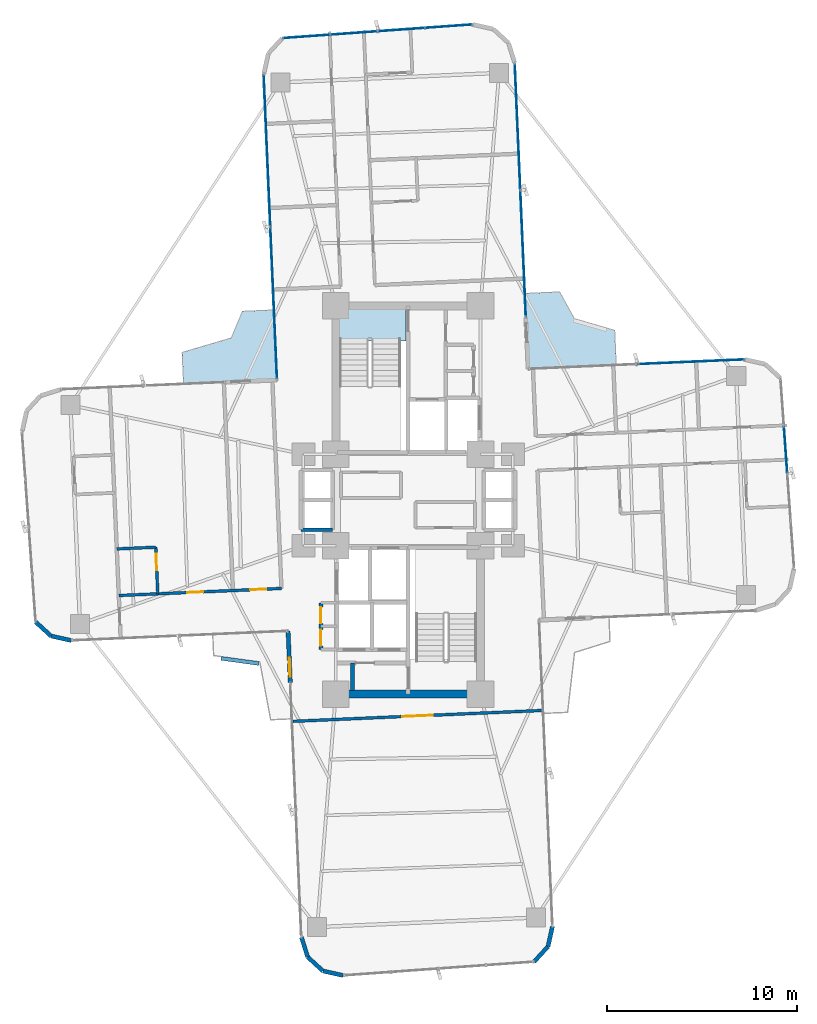
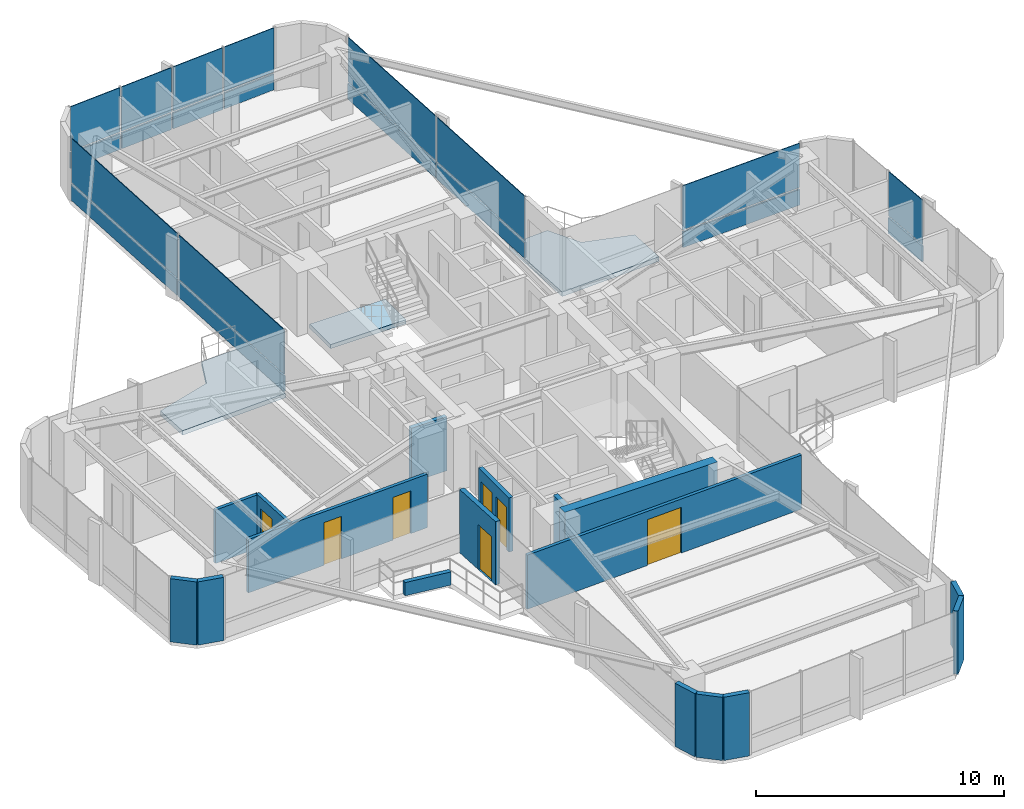
# One storey, part 22 of 26: 20 plates, 17 walls, 7 doors, 3 slabs, 7 openings, 5 elements without a shape of their own.
"""IFC4 building model written with IfcOpenShell, lengths in metres."""

from ifc_helpers import new_model, si_unit, direction, frame, frame_2d, origin, origin_2d, place, context, subcontext, project, spatial, polyline, rectangle, outline, extrude, source, transform, mapped, material, layer, layer_set, type_object, element, fill, aggregate, save


model = new_model("IFC4")

# Units and contexts
model_context = context("Model", 3, precision=1e-05, world=origin(), true_north=direction((0.0, 1.0)))
body_context = subcontext(model_context, "Body", "Model", "MODEL_VIEW")
ifc_project = project(units=[si_unit("LENGTHUNIT", "METRE"), si_unit("AREAUNIT", "SQUARE_METRE"), si_unit("VOLUMEUNIT", "CUBIC_METRE"), si_unit("PLANEANGLEUNIT", "RADIAN"), si_unit("MASSUNIT", "GRAM", prefix="KILO")], contexts=[model_context])

# Site, building, storey
site_placement = place(None, origin())
site = spatial("IfcSite", under=ifc_project, at=site_placement, CompositionType="ELEMENT")
building_placement = place(site_placement, origin())
building = spatial("IfcBuilding", under=site, at=building_placement, Name="Sahyath Konkavel Grand Hotel", CompositionType="ELEMENT")
storey_placement = place(building_placement, frame((0.0, 0.0, 131.550048828125)))
storey = spatial("IfcBuildingStorey", under=building, at=storey_placement, Name="L36", CompositionType="ELEMENT", Elevation=131.550048828125)

# Slabs
ifc_material_1 = material(Name="Concrete C40/50", Category="concrete")
ifc_layer_1 = layer(ifc_material_1, 0.219970703125)
ifc_layer_set_1 = layer_set([ifc_layer_1], Name="Concrete C40/50")
slab_type_1 = type_object("IfcSlabType", Name="SLB-BALCONY-220", PredefinedType="FLOOR", material=ifc_layer_set_1)
slab_1_placement = place(storey_placement, frame((0.0, 0.0, -0.219970703125)))
element("IfcSlab", 1, at=slab_1_placement, inside=storey, type_object=slab_type_1, Name="L36 Winter-Garden Balcony NE", PredefinedType="FLOOR", context=body_context, shape_type="SweptSolid", body=[
    extrude(outline(polyline([(6.305908203125, 6.881591796875), (10.929443359375, 7.08349609375), (10.849853515625, 8.90771484375), (8.728759765625, 9.52587890625), (7.956787109375, 10.929443359375), (6.132568359375, 10.849853515625), (6.305908203125, 6.881591796875)])), origin(), (0.0, 0.0, 1.0), 0.219970703125),
])
slab_2_placement = place(storey_placement, frame((0.0, 0.0, -0.219970703125)))
element("IfcSlab", 2, at=slab_2_placement, inside=storey, type_object=slab_type_1, Name="L36 Winter-Garden Balcony NW", PredefinedType="FLOOR", context=body_context, shape_type="SweptSolid", body=[
    extrude(outline(polyline([(-6.881591796875, 6.305908203125), (-7.042236328125, 9.9833984375), (-8.70166015625, 9.910888671875), (-9.287109375, 8.510009765625), (-11.868408203125, 7.750732421875), (-11.7958984375, 6.09130859375), (-6.881591796875, 6.305908203125)])), origin(), (0.0, 0.0, 1.0), 0.219970703125),
])
ifc_layer_2 = layer(ifc_material_1, 0.199951171875)
ifc_layer_set_2 = layer_set([ifc_layer_2], Name="Concrete C40/50")
slab_type_2 = type_object("IfcSlabType", Name="SLB-STAIR-LND", PredefinedType="LANDING", material=ifc_layer_set_2)
slab_3_placement = place(storey_placement, frame((0.0, 0.0, -0.199951171875)))
element("IfcSlab", 3, at=slab_3_placement, inside=storey, type_object=slab_type_2, Name="L36 Stair ST-1 Floor Landing Slab", PredefinedType="LANDING", context=body_context, shape_type="SweptSolid", body=[
    extrude(outline(polyline([(-3.6201171875, 8.35009765625), (-0.10009765625, 8.35009765625), (-0.10009765625, 10.02001953125), (-3.6201171875, 10.02001953125), (-3.6201171875, 8.35009765625)])), origin(), (0.0, 0.0, 1.0), 0.199951171875),
])

# Curtain wall, plate
ifc_material_2 = material(Name="Anodised Bronze Aluminium & Low-E Glazing", Category="aluminium")
curtain_wall_type = type_object("IfcCurtainWallType", Name="CW-ZONE2", PredefinedType="NOTDEFINED", material=ifc_material_2)
curtain_wall_1_placement = place(storey_placement, origin())
curtain_wall_1 = element("IfcCurtainWall", 4, at=curtain_wall_1_placement, inside=storey, type_object=curtain_wall_type, Name="L36 Unitised Curtain Wall F4", PredefinedType="NOTDEFINED")
ifc_material_3 = material(Name="Warm Buff Sandstone Cladding", Category="masonry")
ifc_layer_3 = layer(ifc_material_3, 0.074951171875)
ifc_layer_set_3 = layer_set([ifc_layer_3], Name="Warm Buff Sandstone Cladding")
plate_type_1 = type_object("IfcPlateType", Name="PNL-SPANDREL-STONE", PredefinedType="SHEET", material=ifc_layer_set_3)
shared_shape_1 = source(origin(), body_context, "Body", "SweptSolid", [
    extrude(rectangle(XDim=2.41357421875, YDim=0.074951171875, at=origin_2d()), origin(), (0.0, 0.0, 1.0), 0.77001953125),
])
plate_1_placement = place(storey_placement, frame((19.828369140625, 2.638671875, 0.0400390625), z_axis=(0.0, 0.0, 1.0), x_axis=(-0.071567078661, 0.997435789037, 0.0)))
plate_1 = element("IfcPlate", 5, at=plate_1_placement, type_object=plate_type_1, Name="L36 Sandstone Relief Spandrel Panel F4-2", PredefinedType="SHEET", context=body_context, shape_type="MappedRepresentation", body=[
    mapped(shared_shape_1, transform((0.0, 0.0, 0.0), scale=1.0)),
])

# Curtain wall, plates
curtain_wall_2_placement = place(storey_placement, origin())
curtain_wall_2 = element("IfcCurtainWall", 6, at=curtain_wall_2_placement, inside=storey, type_object=curtain_wall_type, Name="L36 Unitised Curtain Wall F12", PredefinedType="NOTDEFINED")
plate_2_placement = place(storey_placement, frame((2.130615234375, 24.880615234375, 0.0400390625), z_axis=(0.0, 0.0, 1.0), x_axis=(-0.997435789037, -0.071567078661, 0.0)))
plate_2 = element("IfcPlate", 7, at=plate_2_placement, type_object=plate_type_1, Name="L36 Sandstone Relief Spandrel Panel F12-0", PredefinedType="SHEET", context=body_context, shape_type="MappedRepresentation", body=[
    mapped(shared_shape_1, transform((0.0, 0.0, 0.0), scale=1.0)),
])
plate_3_placement = place(storey_placement, frame((-0.356689453125, 24.7021484375, 0.0400390625), z_axis=(0.0, 0.0, 1.0), x_axis=(-0.997435789037, -0.071567078661, 0.0)))
plate_3 = element("IfcPlate", 8, at=plate_3_placement, type_object=plate_type_1, Name="L36 Sandstone Relief Spandrel Panel F12-1", PredefinedType="SHEET", context=body_context, shape_type="MappedRepresentation", body=[
    mapped(shared_shape_1, transform((0.0, 0.0, 0.0), scale=1.0)),
])
plate_4_placement = place(storey_placement, frame((-2.84375, 24.523681640625, 0.0400390625), z_axis=(0.0, 0.0, 1.0), x_axis=(-0.997435789037, -0.071567078661, 0.0)))
plate_4 = element("IfcPlate", 9, at=plate_4_placement, type_object=plate_type_1, Name="L36 Sandstone Relief Spandrel Panel F12-2", PredefinedType="SHEET", context=body_context, shape_type="MappedRepresentation", body=[
    mapped(shared_shape_1, transform((0.0, 0.0, 0.0), scale=1.0)),
])
plate_5_placement = place(storey_placement, frame((-5.330810546875, 24.34521484375, 0.0400390625), z_axis=(0.0, 0.0, 1.0), x_axis=(-0.997435789037, -0.071567078661, 0.0)))
plate_5 = element("IfcPlate", 10, at=plate_5_placement, type_object=plate_type_1, Name="L36 Sandstone Relief Spandrel Panel F12-3", PredefinedType="SHEET", context=body_context, shape_type="MappedRepresentation", body=[
    mapped(shared_shape_1, transform((0.0, 0.0, 0.0), scale=1.0)),
])

# Curtain wall, plate
curtain_wall_3_placement = place(storey_placement, origin())
curtain_wall_3 = element("IfcCurtainWall", 11, at=curtain_wall_3_placement, inside=storey, type_object=curtain_wall_type, Name="L36 Unitised Curtain Wall F7", PredefinedType="NOTDEFINED")
shared_shape_2 = source(origin(), body_context, "Body", "SweptSolid", [
    extrude(rectangle(XDim=5.580078125, YDim=0.074951171875, at=origin_2d()), origin(), (0.0, 0.0, 1.0), 0.77001953125),
])
plate_6_placement = place(storey_placement, frame((14.82763671875, 7.25390625, 0.0400390625), z_axis=(0.0, 0.0, 1.0), x_axis=(-0.999048221582, -0.043619387365, 0.0)))
plate_6 = element("IfcPlate", 12, at=plate_6_placement, type_object=plate_type_1, Name="L36 Sandstone Relief Spandrel Panel F7-0", PredefinedType="SHEET", context=body_context, shape_type="MappedRepresentation", body=[
    mapped(shared_shape_2, transform((0.0, 0.0, 0.0), scale=1.0)),
])

# Curtain wall, plates
curtain_wall_4_placement = place(storey_placement, origin())
curtain_wall_4 = element("IfcCurtainWall", 13, at=curtain_wall_4_placement, inside=storey, type_object=curtain_wall_type, Name="L36 Unitised Curtain Wall F8", PredefinedType="NOTDEFINED")
shared_shape_3 = source(origin(), body_context, "Body", "SweptSolid", [
    extrude(rectangle(XDim=6.580078125, YDim=0.074951171875, at=origin_2d()), origin(), (0.0, 0.0, 1.0), 0.77001953125),
])
plate_7_placement = place(storey_placement, frame((6.041015625, 12.94580078125, 0.0400390625), z_axis=(0.0, 0.0, 1.0), x_axis=(-0.043619387365, 0.999048221582, 0.0)))
plate_7 = element("IfcPlate", 14, at=plate_7_placement, type_object=plate_type_1, Name="L36 Sandstone Relief Spandrel Panel F8-0", PredefinedType="SHEET", context=body_context, shape_type="MappedRepresentation", body=[
    mapped(shared_shape_3, transform((0.0, 0.0, 0.0), scale=1.0)),
])
plate_8_placement = place(storey_placement, frame((5.75048828125, 19.599609375, 0.0400390625), z_axis=(0.0, 0.0, 1.0), x_axis=(-0.043619387365, 0.999048221582, 0.0)))
plate_8 = element("IfcPlate", 15, at=plate_8_placement, type_object=plate_type_1, Name="L36 Sandstone Relief Spandrel Panel F8-1", PredefinedType="SHEET", context=body_context, shape_type="MappedRepresentation", body=[
    mapped(shared_shape_3, transform((0.0, 0.0, 0.0), scale=1.0)),
])

curtain_wall_5_placement = place(storey_placement, origin())
curtain_wall_5 = element("IfcCurtainWall", 16, at=curtain_wall_5_placement, inside=storey, type_object=curtain_wall_type, Name="L36 Unitised Curtain Wall F15", PredefinedType="NOTDEFINED")
shared_shape_4 = source(origin(), body_context, "Body", "SweptSolid", [
    extrude(rectangle(XDim=7.929931640625, YDim=0.074951171875, at=origin_2d()), origin(), (0.0, 0.0, 1.0), 0.77001953125),
])
plate_9_placement = place(storey_placement, frame((-7.407470703125, 18.349365234375, 0.0400390625), z_axis=(0.0, 0.0, 1.0), x_axis=(0.043619387365, -0.999048221582, 0.0)))
plate_9 = element("IfcPlate", 17, at=plate_9_placement, type_object=plate_type_1, Name="L36 Sandstone Relief Spandrel Panel F15-0", PredefinedType="SHEET", context=body_context, shape_type="MappedRepresentation", body=[
    mapped(shared_shape_4, transform((0.0, 0.0, 0.0), scale=1.0)),
])
plate_10_placement = place(storey_placement, frame((-7.05810546875, 10.346923828125, 0.0400390625), z_axis=(0.0, 0.0, 1.0), x_axis=(0.043619387365, -0.999048221582, 0.0)))
plate_10 = element("IfcPlate", 18, at=plate_10_placement, type_object=plate_type_1, Name="L36 Sandstone Relief Spandrel Panel F15-1", PredefinedType="SHEET", context=body_context, shape_type="MappedRepresentation", body=[
    mapped(shared_shape_4, transform((0.0, 0.0, 0.0), scale=1.0)),
])

# Plate
ifc_material_4 = material(Name="Low-E Solar Control Double Glazing", Category="glass")
ifc_layer_4 = layer(ifc_material_4, 0.035888671875)
ifc_layer_set_4 = layer_set([ifc_layer_4], Name="Low-E Solar Control Double Glazing")
plate_type_2 = type_object("IfcPlateType", Name="PNL-VISION-LOWE", PredefinedType="CURTAIN_PANEL", material=ifc_layer_set_4)
shared_shape_5 = source(origin(), body_context, "Body", "SweptSolid", [
    extrude(rectangle(XDim=2.41357421875, YDim=0.035888671875, at=origin_2d()), origin(), (0.0, 0.0, 1.0), 2.179931640625),
])
plate_11_placement = place(storey_placement, frame((19.828369140625, 2.638671875, 0.89013671875), z_axis=(0.0, 0.0, 1.0), x_axis=(-0.071567078661, 0.997435789037, 0.0)))
plate_11 = element("IfcPlate", 19, at=plate_11_placement, type_object=plate_type_2, Name="L36 Low-E Vision Glazing Panel F4-2", PredefinedType="CURTAIN_PANEL", context=body_context, shape_type="MappedRepresentation", body=[
    mapped(shared_shape_5, transform((0.0, 0.0, 0.0), scale=1.0)),
])

aggregate(curtain_wall_1, [plate_1, plate_11])

plate_12_placement = place(storey_placement, frame((2.130615234375, 24.880615234375, 0.89013671875), z_axis=(0.0, 0.0, 1.0), x_axis=(-0.997435789037, -0.071567078661, 0.0)))
plate_12 = element("IfcPlate", 20, at=plate_12_placement, type_object=plate_type_2, Name="L36 Low-E Vision Glazing Panel F12-0", PredefinedType="CURTAIN_PANEL", context=body_context, shape_type="MappedRepresentation", body=[
    mapped(shared_shape_5, transform((0.0, 0.0, 0.0), scale=1.0)),
])

plate_13_placement = place(storey_placement, frame((-0.356689453125, 24.7021484375, 0.89013671875), z_axis=(0.0, 0.0, 1.0), x_axis=(-0.997435789037, -0.071567078661, 0.0)))
plate_13 = element("IfcPlate", 21, at=plate_13_placement, type_object=plate_type_2, Name="L36 Low-E Vision Glazing Panel F12-1", PredefinedType="CURTAIN_PANEL", context=body_context, shape_type="MappedRepresentation", body=[
    mapped(shared_shape_5, transform((0.0, 0.0, 0.0), scale=1.0)),
])

plate_14_placement = place(storey_placement, frame((-2.84375, 24.523681640625, 0.89013671875), z_axis=(0.0, 0.0, 1.0), x_axis=(-0.997435789037, -0.071567078661, 0.0)))
plate_14 = element("IfcPlate", 22, at=plate_14_placement, type_object=plate_type_2, Name="L36 Low-E Vision Glazing Panel F12-2", PredefinedType="CURTAIN_PANEL", context=body_context, shape_type="MappedRepresentation", body=[
    mapped(shared_shape_5, transform((0.0, 0.0, 0.0), scale=1.0)),
])

plate_15_placement = place(storey_placement, frame((-5.330810546875, 24.34521484375, 0.89013671875), z_axis=(0.0, 0.0, 1.0), x_axis=(-0.997435789037, -0.071567078661, 0.0)))
plate_15 = element("IfcPlate", 23, at=plate_15_placement, type_object=plate_type_2, Name="L36 Low-E Vision Glazing Panel F12-3", PredefinedType="CURTAIN_PANEL", context=body_context, shape_type="MappedRepresentation", body=[
    mapped(shared_shape_5, transform((0.0, 0.0, 0.0), scale=1.0)),
])

aggregate(curtain_wall_2, [plate_2, plate_12, plate_3, plate_13, plate_4, plate_14, plate_5, plate_15])

shared_shape_6 = source(origin(), body_context, "Body", "SweptSolid", [
    extrude(rectangle(XDim=5.580078125, YDim=0.035888671875, at=origin_2d()), origin(), (0.0, 0.0, 1.0), 2.179931640625),
])
plate_16_placement = place(storey_placement, frame((14.82763671875, 7.25390625, 0.89013671875), z_axis=(0.0, 0.0, 1.0), x_axis=(-0.999048221582, -0.043619387365, 0.0)))
plate_16 = element("IfcPlate", 24, at=plate_16_placement, type_object=plate_type_2, Name="L36 Low-E Vision Glazing Panel F7-0", PredefinedType="CURTAIN_PANEL", context=body_context, shape_type="MappedRepresentation", body=[
    mapped(shared_shape_6, transform((0.0, 0.0, 0.0), scale=1.0)),
])

aggregate(curtain_wall_3, [plate_6, plate_16])

shared_shape_7 = source(origin(), body_context, "Body", "SweptSolid", [
    extrude(rectangle(XDim=6.580078125, YDim=0.035888671875, at=origin_2d()), origin(), (0.0, 0.0, 1.0), 2.179931640625),
])
plate_17_placement = place(storey_placement, frame((6.041015625, 12.94580078125, 0.89013671875), z_axis=(0.0, 0.0, 1.0), x_axis=(-0.043619387365, 0.999048221582, 0.0)))
plate_17 = element("IfcPlate", 25, at=plate_17_placement, type_object=plate_type_2, Name="L36 Low-E Vision Glazing Panel F8-0", PredefinedType="CURTAIN_PANEL", context=body_context, shape_type="MappedRepresentation", body=[
    mapped(shared_shape_7, transform((0.0, 0.0, 0.0), scale=1.0)),
])

plate_18_placement = place(storey_placement, frame((5.75048828125, 19.599609375, 0.89013671875), z_axis=(0.0, 0.0, 1.0), x_axis=(-0.043619387365, 0.999048221582, 0.0)))
plate_18 = element("IfcPlate", 26, at=plate_18_placement, type_object=plate_type_2, Name="L36 Low-E Vision Glazing Panel F8-1", PredefinedType="CURTAIN_PANEL", context=body_context, shape_type="MappedRepresentation", body=[
    mapped(shared_shape_7, transform((0.0, 0.0, 0.0), scale=1.0)),
])

aggregate(curtain_wall_4, [plate_7, plate_17, plate_8, plate_18])

shared_shape_8 = source(origin(), body_context, "Body", "SweptSolid", [
    extrude(rectangle(XDim=7.929931640625, YDim=0.035888671875, at=origin_2d()), origin(), (0.0, 0.0, 1.0), 2.179931640625),
])
plate_19_placement = place(storey_placement, frame((-7.407470703125, 18.349365234375, 0.89013671875), z_axis=(0.0, 0.0, 1.0), x_axis=(0.043619387365, -0.999048221582, 0.0)))
plate_19 = element("IfcPlate", 27, at=plate_19_placement, type_object=plate_type_2, Name="L36 Low-E Vision Glazing Panel F15-0", PredefinedType="CURTAIN_PANEL", context=body_context, shape_type="MappedRepresentation", body=[
    mapped(shared_shape_8, transform((0.0, 0.0, 0.0), scale=1.0)),
])

plate_20_placement = place(storey_placement, frame((-7.05810546875, 10.346923828125, 0.89013671875), z_axis=(0.0, 0.0, 1.0), x_axis=(0.043619387365, -0.999048221582, 0.0)))
plate_20 = element("IfcPlate", 28, at=plate_20_placement, type_object=plate_type_2, Name="L36 Low-E Vision Glazing Panel F15-1", PredefinedType="CURTAIN_PANEL", context=body_context, shape_type="MappedRepresentation", body=[
    mapped(shared_shape_8, transform((0.0, 0.0, 0.0), scale=1.0)),
])

aggregate(curtain_wall_5, [plate_9, plate_19, plate_10, plate_20])

# Walls
ifc_material_5 = material(Name="Concrete C50/60", Category="concrete")
ifc_layer_5 = layer(ifc_material_5, 0.419921875)
ifc_layer_set_5 = layer_set([ifc_layer_5], Name="Concrete C50/60")
wall_type_1 = type_object("IfcWallType", Name="CWALL-420", PredefinedType="SHEAR", material=ifc_layer_set_5)
wall_1_placement = place(storey_placement, frame((-3.550048828125, -10.199951171875, 0.0), z_axis=(0.0, 0.0, 1.0), x_axis=(1.0, 0.0, 0.0)))
element("IfcWall", 29, at=wall_1_placement, inside=storey, type_object=wall_type_1, Name="L36 South Core Shear Wall S", PredefinedType="SHEAR", context=body_context, shape_type="SweptSolid", body=[
    extrude(rectangle(XDim=7.10009765625, YDim=0.419921875, at=frame_2d((3.550048828125, 0.0))), origin(), (0.0, 0.0, 1.0), 3.10986328125),
])
ifc_material_6 = material(Name="Warm Buff Sandstone Insulated Concrete C40/50", Category="masonry")
ifc_layer_6 = layer(ifc_material_6, 0.219970703125)
ifc_layer_set_6 = layer_set([ifc_layer_6], Name="Warm Buff Sandstone Insulated Concrete C40/50")
wall_type_2 = type_object("IfcWallType", Name="WLL-BALC-THRESH", PredefinedType="STANDARD", material=ifc_layer_set_6)
wall_2_placement = place(storey_placement, frame((-19.5576171875, -6.4091796875, 0.0), z_axis=(0.0, 0.0, 1.0), x_axis=(0.737210081318, -0.675663596772, 0.0)))
element("IfcWall", 30, at=wall_2_placement, inside=storey, type_object=wall_type_2, Name="L36 Rounded Corner Sandstone Pier 21", PredefinedType="STANDARD", context=body_context, shape_type="SweptSolid", body=[
    extrude(rectangle(XDim=1.0869140625, YDim=0.219970703125, at=frame_2d((0.54345703125, 0.0))), origin(), (0.0, 0.0, 1.0), 3.10986328125),
])
wall_3_placement = place(storey_placement, frame((-18.75634765625, -7.1435546875, 0.0), z_axis=(0.0, 0.0, 1.0), x_axis=(0.976282085775, -0.216502399514, 0.0)))
element("IfcWall", 31, at=wall_3_placement, inside=storey, type_object=wall_type_2, Name="L36 Rounded Corner Sandstone Pier 22", PredefinedType="STANDARD", context=body_context, shape_type="SweptSolid", body=[
    extrude(rectangle(XDim=1.087158203125, YDim=0.219970703125, at=frame_2d((0.54345703125, 0.0))), origin(), (0.0, 0.0, 1.0), 3.10986328125),
])

# Wall, opening, door
wall_4_placement = place(storey_placement, frame((-6.305908203125, -6.881591796875, 0.0), z_axis=(0.0, 0.0, 1.0), x_axis=(0.043672655174, -0.999045894436, 0.0)))
wall_4 = element("IfcWall", 32, at=wall_4_placement, inside=storey, type_object=wall_type_2, Name="L36 Winter-Garden Threshold Wall 24", PredefinedType="STANDARD", context=body_context, shape_type="SweptSolid", body=[
    extrude(rectangle(XDim=2.7001953125, YDim=0.219970703125, at=frame_2d((1.35009765625, 0.0))), origin(), (0.0, 0.0, 1.0), 3.10986328125),
])
opening_1_placement = place(wall_4_placement, frame((1.39990234375, 0.0, 0.0)))
opening_1 = element("IfcOpeningElement", 33, at=opening_1_placement, cuts=wall_4, Name="Opening D-TR1", PredefinedType="OPENING", context=body_context, shape_type="SweptSolid", body=[
    extrude(rectangle(XDim=1.0, YDim=2.199951171875, at=frame_2d((0.5, 1.10009765625))), frame((0.0, 0.1201171875, 0.0), z_axis=(0.0, -1.0, 0.0), x_axis=(1.0, 0.0, 0.0)), (0.0, 0.0, 1.0), 0.239990234375),
])
door_type_1 = type_object("IfcDoorType", Name="DR-TERRACE-1000", OperationType="NOTDEFINED", PredefinedType="DOOR", material=ifc_material_2)
shared_shape_9 = source(origin(), body_context, "Body", "SweptSolid", [
    extrude(rectangle(XDim=1.0, YDim=0.050048828125, at=origin_2d()), origin(), (0.0, 0.0, 1.0), 2.199951171875),
])
door_1_placement = place(opening_1_placement, frame((0.5, 0.0, 0.0)))
door_1 = element("IfcDoor", 34, at=door_1_placement, inside=storey, type_object=door_type_1, Name="L36 Winter-Garden Terrace Door 24", OperationType="SINGLE_SWING_LEFT", OverallHeight=2.199951171875, OverallWidth=1.0, PredefinedType="DOOR", context=body_context, shape_type="MappedRepresentation", body=[
    mapped(shared_shape_9, transform((0.0, 0.0, 0.0), scale=1.0)),
])
fill(opening_1, door_1)

# Walls
wall_5_placement = place(storey_placement, frame((-5.603515625, -22.96630859375, 0.0), z_axis=(0.0, 0.0, 1.0), x_axis=(0.300755105707, -0.953701403161, 0.0)))
element("IfcWall", 35, at=wall_5_placement, inside=storey, type_object=wall_type_2, Name="L36 Rounded Corner Sandstone Pier 25", PredefinedType="STANDARD", context=body_context, shape_type="SweptSolid", body=[
    extrude(rectangle(XDim=1.0869140625, YDim=0.219970703125, at=frame_2d((0.54345703125, 0.0))), origin(), (0.0, 0.0, 1.0), 3.10986328125),
])
wall_6_placement = place(storey_placement, frame((-5.276611328125, -24.0029296875, 0.0), z_axis=(0.0, 0.0, 1.0), x_axis=(0.737312600672, -0.675551721847, 0.0)))
element("IfcWall", 36, at=wall_6_placement, inside=storey, type_object=wall_type_2, Name="L36 Rounded Corner Sandstone Pier 26", PredefinedType="STANDARD", context=body_context, shape_type="SweptSolid", body=[
    extrude(rectangle(XDim=1.087158203125, YDim=0.219970703125, at=frame_2d((0.54345703125, 0.0))), origin(), (0.0, 0.0, 1.0), 3.10986328125),
])
for number, where, z_axis, x_axis, name in (
    (37, (-4.47509765625, -24.7373046875, 0.0), (0.0, 0.0, 1.0), (0.976271555154, -0.216549880158, 0.0), "L36 Rounded Corner Sandstone Pier 27"),
    (38, (6.6142578125, -24.253173828125, 0.0), (0.0, 0.0, 1.0), (0.675663596772, 0.737210081318, 0.0), "L36 Rounded Corner Sandstone Pier 29"),
):
    element("IfcWall", number, at=place(storey_placement, frame(where, z_axis=z_axis, x_axis=x_axis)), inside=storey, type_object=wall_type_2, Name=name, PredefinedType="STANDARD", context=body_context, shape_type="SweptSolid", body=[
        extrude(rectangle(XDim=1.0869140625, YDim=0.219970703125, at=frame_2d((0.54345703125, 0.0))), origin(), (0.0, 0.0, 1.0), 3.10986328125),
    ])
wall_7_placement = place(storey_placement, frame((7.3486328125, -23.451904296875, 0.0), z_axis=(0.0, 0.0, 1.0), x_axis=(0.216454939174, 0.976292609471, 0.0)))
element("IfcWall", 39, at=wall_7_placement, inside=storey, type_object=wall_type_2, Name="L36 Rounded Corner Sandstone Pier 30", PredefinedType="STANDARD", context=body_context, shape_type="SweptSolid", body=[
    extrude(rectangle(XDim=1.08740234375, YDim=0.219970703125, at=frame_2d((0.543701171875, 0.0))), origin(), (0.0, 0.0, 1.0), 3.10986328125),
])
ifc_layer_7 = layer(ifc_material_1, 0.199951171875)
ifc_layer_set_7 = layer_set([ifc_layer_7], Name="Concrete C40/50")
wall_type_3 = type_object("IfcWallType", Name="WLL-CORE-200", PredefinedType="SOLIDWALL", material=ifc_layer_set_7)
wall_8_placement = place(storey_placement, frame((-5.6201171875, -1.56005859375, 0.0), z_axis=(0.0, 0.0, 1.0), x_axis=(1.0, 0.0, 0.0)))
element("IfcWall", 40, at=wall_8_placement, inside=storey, type_object=wall_type_3, Name="L36 Partition SH-SL12-S", PredefinedType="SOLIDWALL", context=body_context, shape_type="SweptSolid", body=[
    extrude(rectangle(XDim=1.64013671875, YDim=0.199951171875, at=frame_2d((0.820068359375, 0.0))), origin(), (0.0, 0.0, 1.0), 2.659912109375),
])
wall_9_placement = place(storey_placement, frame((-2.919921875, -10.0, 0.0), z_axis=(0.0, 0.0, 1.0), x_axis=(0.0, 1.0, 0.0)))
element("IfcWall", 41, at=wall_9_placement, inside=storey, type_object=wall_type_3, Name="L36 Partition SFF-W2", PredefinedType="SOLIDWALL", context=body_context, shape_type="SweptSolid", body=[
    extrude(rectangle(XDim=1.43994140625, YDim=0.199951171875, at=frame_2d((0.719970703125, 0.0))), origin(), (0.0, 0.0, 1.0), 2.659912109375),
])

# Wall, openings, doors
wall_10_placement = place(storey_placement, frame((-4.580078125, -7.860107421875, 0.0), z_axis=(0.0, 0.0, 1.0), x_axis=(0.0, 1.0, 0.0)))
wall_10 = element("IfcWall", 42, at=wall_10_placement, inside=storey, type_object=wall_type_3, Name="L36 Partition SC-FLK-W", PredefinedType="SOLIDWALL", context=body_context, shape_type="SweptSolid", body=[
    extrude(rectangle(XDim=2.460205078125, YDim=0.199951171875, at=frame_2d((1.22998046875, 0.0))), origin(), (0.0, 0.0, 1.0), 2.659912109375),
])
opening_2_placement = place(wall_10_placement, frame((0.199951171875, 0.0, 0.0)))
opening_2 = element("IfcOpeningElement", 43, at=opening_2_placement, cuts=wall_10, Name="Opening D-F06D", PredefinedType="OPENING", context=body_context, shape_type="SweptSolid", body=[
    extrude(rectangle(XDim=0.85009765625, YDim=2.10009765625, at=frame_2d((0.425048828125, 1.050048828125))), frame((0.0, 0.10986328125, 0.0), z_axis=(0.0, -1.0, 0.0), x_axis=(1.0, 0.0, 0.0)), (0.0, 0.0, 1.0), 0.219970703125),
])
opening_3_placement = place(wall_10_placement, frame((1.3798828125, 0.0, 0.0)))
opening_3 = element("IfcOpeningElement", 44, at=opening_3_placement, cuts=wall_10, Name="Opening D-F06D", PredefinedType="OPENING", context=body_context, shape_type="SweptSolid", body=[
    extrude(rectangle(XDim=0.85009765625, YDim=2.10009765625, at=frame_2d((0.425048828125, 1.050048828125))), frame((0.0, 0.10986328125, 0.0), z_axis=(0.0, -1.0, 0.0), x_axis=(1.0, 0.0, 0.0)), (0.0, 0.0, 1.0), 0.219970703125),
])
ifc_material_7 = material(Name="Fire-Rated Shaft Access Door")
door_type_2 = type_object("IfcDoorType", Name="DR-FD60-850", OperationType="NOTDEFINED", PredefinedType="DOOR", material=ifc_material_7)
shared_shape_10 = source(origin(), body_context, "Body", "SweptSolid", [
    extrude(rectangle(XDim=0.85009765625, YDim=0.050048828125, at=origin_2d()), origin(), (0.0, 0.0, 1.0), 2.10009765625),
])
door_2_placement = place(opening_2_placement, frame((0.425048828125, 0.0, 0.0)))
door_2 = element("IfcDoor", 45, at=door_2_placement, inside=storey, type_object=door_type_2, Name="L36 Door SC-FLK1-D", OperationType="SINGLE_SWING_LEFT", OverallHeight=2.10009765625, OverallWidth=0.85009765625, PredefinedType="DOOR", context=body_context, shape_type="MappedRepresentation", body=[
    mapped(shared_shape_10, transform((0.0, 0.0, 0.0), scale=1.0)),
])
fill(opening_2, door_2)
door_3_placement = place(opening_3_placement, frame((0.425048828125, 0.0, 0.0)))
door_3 = element("IfcDoor", 46, at=door_3_placement, inside=storey, type_object=door_type_2, Name="L36 Door SC-FLK2-D", OperationType="SINGLE_SWING_RIGHT", OverallHeight=2.10009765625, OverallWidth=0.85009765625, PredefinedType="DOOR", context=body_context, shape_type="MappedRepresentation", body=[
    mapped(shared_shape_10, transform((0.0, 0.0, 0.0), scale=1.0)),
])
fill(opening_3, door_3)

ifc_material_8 = material(Name="Fire-Rated Gypsum Plasterboard Partition")
ifc_layer_8 = layer(ifc_material_8, 0.14990234375)
ifc_layer_set_8 = layer_set([ifc_layer_8], Name="Fire-Rated Gypsum Plasterboard Partition")
wall_type_4 = type_object("IfcWallType", Name="WLL-PART-150", PredefinedType="PARTITIONING", material=ifc_layer_set_8)
wall_11_placement = place(storey_placement, frame((-6.65380859375, -4.644775390625, 0.0), z_axis=(0.0, 0.0, 1.0), x_axis=(-0.999048925025, -0.043603272887, 0.0)))
wall_11 = element("IfcWall", 47, at=wall_11_placement, inside=storey, type_object=wall_type_4, Name="L36 Partition W-G5W", PredefinedType="PARTITIONING", context=body_context, shape_type="SweptSolid", body=[
    extrude(rectangle(XDim=8.5498046875, YDim=0.14990234375, at=frame_2d((4.27490234375, 0.0))), origin(), (0.0, 0.0, 1.0), 2.6298828125),
])
opening_4_placement = place(wall_11_placement, frame((0.800048828125, 0.0, 0.0)))
opening_4 = element("IfcOpeningElement", 48, at=opening_4_placement, cuts=wall_11, Name="Opening D-F06D", PredefinedType="OPENING", context=body_context, shape_type="SweptSolid", body=[
    extrude(rectangle(XDim=0.85009765625, YDim=2.10009765625, at=frame_2d((0.425048828125, 1.050048828125))), frame((0.0, 0.0849609375, 0.0), z_axis=(0.0, -1.0, 0.0), x_axis=(1.0, 0.0, 0.0)), (0.0, 0.0, 1.0), 0.169921875),
])
opening_5_placement = place(wall_11_placement, frame((4.10009765625, 0.0, 0.0)))
opening_5 = element("IfcOpeningElement", 49, at=opening_5_placement, cuts=wall_11, Name="Opening D-F06D", PredefinedType="OPENING", context=body_context, shape_type="SweptSolid", body=[
    extrude(rectangle(XDim=0.85009765625, YDim=2.10009765625, at=frame_2d((0.425048828125, 1.050048828125))), frame((0.0, 0.0849609375, 0.0), z_axis=(0.0, -1.0, 0.0), x_axis=(1.0, 0.0, 0.0)), (0.0, 0.0, 1.0), 0.169921875),
])
door_4_placement = place(opening_4_placement, frame((0.425048828125, 0.0, 0.0)))
door_4 = element("IfcDoor", 50, at=door_4_placement, inside=storey, type_object=door_type_2, Name="L36 Door W-WHK-D", OperationType="SINGLE_SWING_LEFT", OverallHeight=2.10009765625, OverallWidth=0.85009765625, PredefinedType="DOOR", context=body_context, shape_type="MappedRepresentation", body=[
    mapped(shared_shape_10, transform((0.0, 0.0, 0.0), scale=1.0)),
])
fill(opening_4, door_4)
door_5_placement = place(opening_5_placement, frame((0.425048828125, 0.0, 0.0)))
door_5 = element("IfcDoor", 51, at=door_5_placement, inside=storey, type_object=door_type_2, Name="L36 Door W-WD1-ED", OperationType="SINGLE_SWING_LEFT", OverallHeight=2.10009765625, OverallWidth=0.85009765625, PredefinedType="DOOR", context=body_context, shape_type="MappedRepresentation", body=[
    mapped(shared_shape_10, transform((0.0, 0.0, 0.0), scale=1.0)),
])
fill(opening_5, door_5)

# Wall, opening, door
wall_12_placement = place(storey_placement, frame((-13.1474609375, -4.92822265625, 0.0), z_axis=(0.0, 0.0, 1.0), x_axis=(-0.043644787072, 0.999047112283, 0.0)))
wall_12 = element("IfcWall", 52, at=wall_12_placement, inside=storey, type_object=wall_type_4, Name="L36 Partition W-WD1-BS", PredefinedType="PARTITIONING", context=body_context, shape_type="SweptSolid", body=[
    extrude(rectangle(XDim=2.4501953125, YDim=0.14990234375, at=frame_2d((1.22509765625, 0.0))), origin(), (0.0, 0.0, 1.0), 2.659912109375),
])
opening_6_placement = place(wall_12_placement, frame((1.25, 0.0, 0.0)))
opening_6 = element("IfcOpeningElement", 53, at=opening_6_placement, cuts=wall_12, Name="Opening D-BT85", PredefinedType="OPENING", context=body_context, shape_type="SweptSolid", body=[
    extrude(rectangle(XDim=0.85009765625, YDim=2.10009765625, at=frame_2d((0.425048828125, 1.050048828125))), frame((0.0, 0.0849609375, 0.0), z_axis=(0.0, -1.0, 0.0), x_axis=(1.0, 0.0, 0.0)), (0.0, 0.0, 1.0), 0.169921875),
])
ifc_material_9 = material(Name="Moisture-Resistant Teak Bathroom Door")
door_type_3 = type_object("IfcDoorType", Name="DR-BATH-850", OperationType="NOTDEFINED", PredefinedType="DOOR", material=ifc_material_9)
door_6_placement = place(opening_6_placement, frame((0.425048828125, 0.0, 0.0)))
door_6 = element("IfcDoor", 54, at=door_6_placement, inside=storey, type_object=door_type_3, Name="L36 Door W-WD1-BD", OperationType="SINGLE_SWING_RIGHT", OverallHeight=2.10009765625, OverallWidth=0.85009765625, PredefinedType="DOOR", context=body_context, shape_type="MappedRepresentation", body=[
    mapped(shared_shape_10, transform((0.0, 0.0, 0.0), scale=1.0)),
])
fill(opening_6, door_6)

# Wall
wall_13_placement = place(storey_placement, frame((-13.25439453125, -2.48046875, 0.0), z_axis=(0.0, 0.0, 1.0), x_axis=(-0.999049630844, -0.043587097972, 0.0)))
element("IfcWall", 55, at=wall_13_placement, inside=storey, type_object=wall_type_4, Name="L36 Partition W-WD1-BF", PredefinedType="PARTITIONING", context=body_context, shape_type="SweptSolid", body=[
    extrude(rectangle(XDim=2.050048828125, YDim=0.14990234375, at=frame_2d((1.02490234375, 0.0))), origin(), (0.0, 0.0, 1.0), 2.6298828125),
])

# Wall, opening, door
wall_14_placement = place(storey_placement, frame((-6.048583984375, -11.625, 0.0), z_axis=(0.0, 0.0, 1.0), x_axis=(0.999047806124, 0.043628901879, 0.0)))
wall_14 = element("IfcWall", 56, at=wall_14_placement, inside=storey, type_object=wall_type_4, Name="L36 Partition S-SAL-IN", PredefinedType="PARTITIONING", context=body_context, shape_type="SweptSolid", body=[
    extrude(rectangle(XDim=13.099853515625, YDim=0.14990234375, at=frame_2d((6.5498046875, 0.0))), origin(), (0.0, 0.0, 1.0), 2.659912109375),
])
opening_7_placement = place(wall_14_placement, frame((5.75, 0.0, 0.0)))
opening_7 = element("IfcOpeningElement", 57, at=opening_7_placement, cuts=wall_14, Name="Opening D-DB16", PredefinedType="OPENING", context=body_context, shape_type="SweptSolid", body=[
    extrude(rectangle(XDim=1.60009765625, YDim=2.25, at=frame_2d((0.800048828125, 1.125))), frame((0.0, 0.0849609375, 0.0), z_axis=(0.0, -1.0, 0.0), x_axis=(1.0, 0.0, 0.0)), (0.0, 0.0, 1.0), 0.169921875),
])
ifc_material_10 = material(Name="Double Leaf Lounge Glazed Timber Door", Category="wood")
door_type_4 = type_object("IfcDoorType", Name="DR-DBL-1600", OperationType="DOUBLE_DOOR_SINGLE_SWING", PredefinedType="DOOR", material=ifc_material_10)
shared_shape_11 = source(origin(), body_context, "Body", "SweptSolid", [
    extrude(rectangle(XDim=1.60009765625, YDim=0.050048828125, at=origin_2d()), origin(), (0.0, 0.0, 1.0), 2.25),
])
door_7_placement = place(opening_7_placement, frame((0.800048828125, 0.0, 0.0)))
door_7 = element("IfcDoor", 58, at=door_7_placement, inside=storey, type_object=door_type_4, Name="L36 Door S-SAL-D", OperationType="DOUBLE_DOOR_SINGLE_SWING", OverallHeight=2.25, OverallWidth=1.60009765625, PredefinedType="DOOR", context=body_context, shape_type="MappedRepresentation", body=[
    mapped(shared_shape_11, transform((0.0, 0.0, 0.0), scale=1.0)),
])
fill(opening_7, door_7)

# Wall
ifc_material_11 = material(Name="Warm Buff Sandstone Planter Wall", Category="masonry")
ifc_layer_9 = layer(ifc_material_11, 0.199951171875)
ifc_layer_set_9 = layer_set([ifc_layer_9], Name="Warm Buff Sandstone Planter Wall")
wall_type_5 = type_object("IfcWallType", Name="WLL-PLANTER-200", PredefinedType="PARAPET", material=ifc_layer_set_9)
wall_15_placement = place(storey_placement, frame((-9.822509765625, -8.318115234375, 0.0), z_axis=(0.0, 0.0, 1.0), x_axis=(0.990724749974, -0.135884030663, 0.0)))
element("IfcWall", 59, at=wall_15_placement, inside=storey, type_object=wall_type_5, Name="L36 Sky-Garden Stone Planter PLANTER SW", PredefinedType="PARAPET", context=body_context, shape_type="SweptSolid", body=[
    extrude(rectangle(XDim=2.0068359375, YDim=0.199951171875, at=frame_2d((1.00341796875, 0.0))), origin(), (0.0, 0.0, 1.0), 0.64990234375),
])

save(model, "model.ifc")
